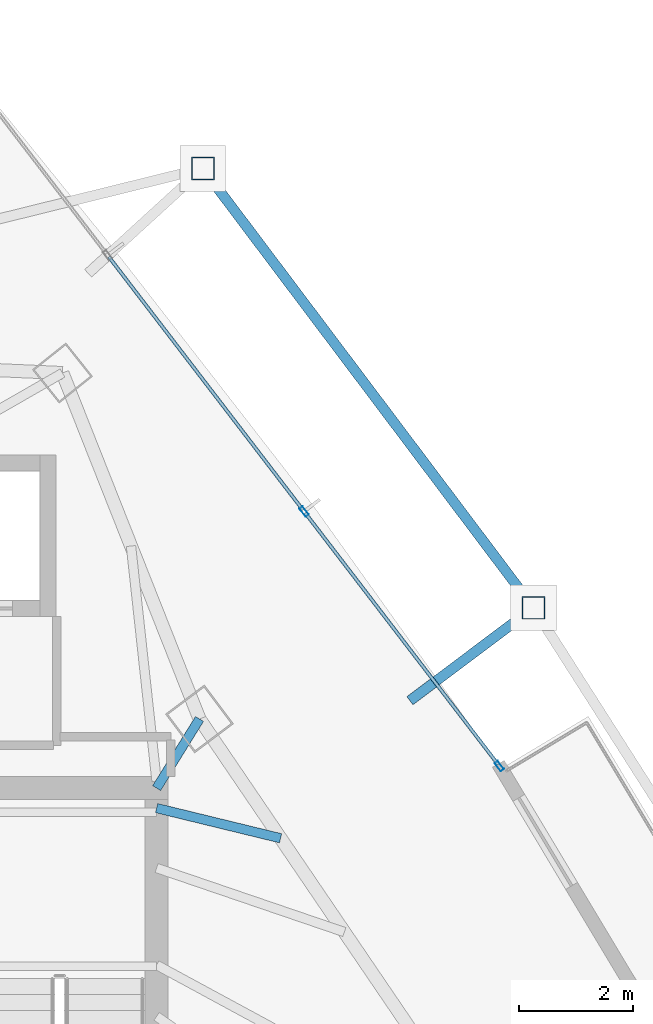
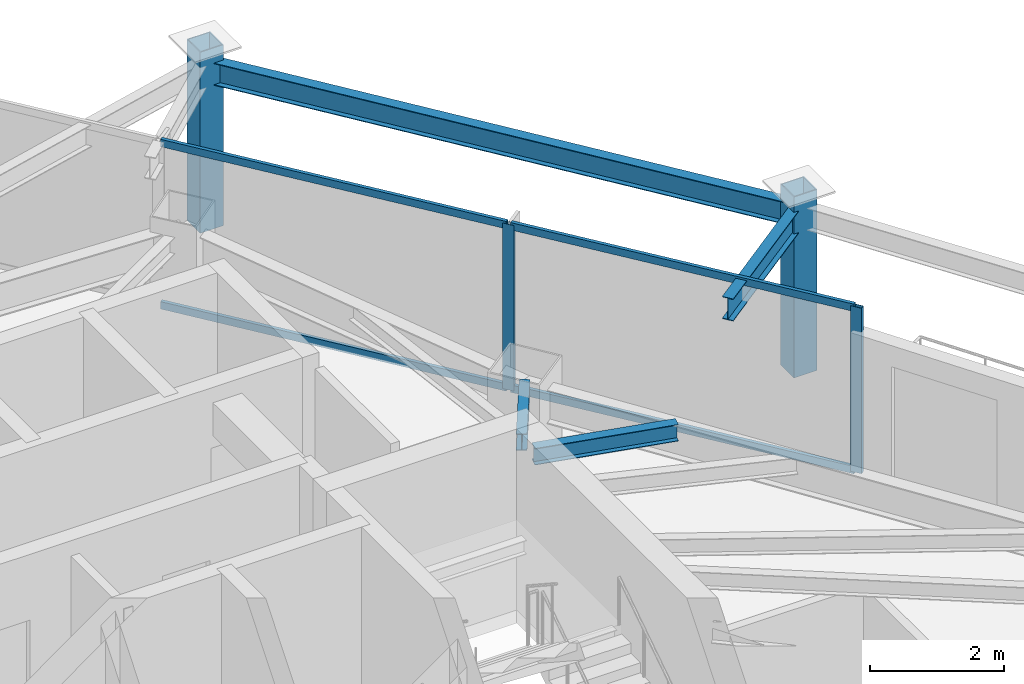
# One storey, part 23 of 30: 8 members, 4 beams, 1 element without a shape of its own.
"""IFC4 building model written with IfcOpenShell, lengths in metres."""

import ifcopenshell
import ifcopenshell.guid

model = None  # the IFC model being written
_history = None  # IfcOwnerHistory: only IFC2X3 demands one
_inside = {}  # id of a spatial element -> (the spatial element, [elements in it])
_under = {}  # id of a project, library or spatial element -> (it, [spatial elements below it])
_declared = {}  # id of a project -> (the project, [libraries it declares])
_typed = {}  # id of a type object -> (the type object, [elements of that type])
_made_of = {}  # id of a material, layer set ... -> (it, [elements and type objects made of it])


def new_model(schema):
    """Start an empty IFC model of exactly this schema.

    Asked for "IFC4X3", IfcOpenShell would pick the latest addendum, in which some entities
    have other attributes; the version numbers below select the first issue.
    IFC2X3 requires an IfcOwnerHistory on every rooted entity: one is made here for all.
    """
    global model, _history
    if schema == "IFC4X3":
        model = ifcopenshell.file(schema_version=(4, 3, 0, 0))
    else:
        model = ifcopenshell.file(schema=schema)
    _inside.clear()
    _under.clear()
    _declared.clear()
    _typed.clear()
    _made_of.clear()
    _history = None
    if model.schema == "IFC2X3":
        org = make("IfcOrganization", Name="unknown")
        user = make(
            "IfcPersonAndOrganization",
            ThePerson=make("IfcPerson", FamilyName="unknown"),
            TheOrganization=org,
        )
        app = make(
            "IfcApplication",
            ApplicationDeveloper=org,
            Version="unknown",
            ApplicationFullName="unknown",
            ApplicationIdentifier="unknown",
        )
        _history = make(
            "IfcOwnerHistory",
            OwningUser=user,
            OwningApplication=app,
            ChangeAction="ADDED",
            CreationDate=0,
        )
    return model


def make(cls, **values):
    """One entity of the class cls with the attributes given. An attribute that is None is left unset."""
    return model.create_entity(
        cls, **{name: value for name, value in values.items() if value is not None}
    )


def rooted(cls, **values):
    """An entity with a GlobalId (a new one), such as an element, a storey or a relation."""
    return make(cls, GlobalId=ifcopenshell.guid.new(), OwnerHistory=_history, **values)


def si_unit(unit_type, name, prefix=None):
    """IfcSIUnit, for example si_unit("LENGTHUNIT", "METRE", prefix="MILLI")."""
    return make("IfcSIUnit", UnitType=unit_type, Prefix=prefix, Name=name)


def assignment(units):
    """IfcUnitAssignment: the units of a project."""
    return None if units is None else make("IfcUnitAssignment", Units=units)


def point(xyz):
    """IfcCartesianPoint."""
    return None if xyz is None else make("IfcCartesianPoint", Coordinates=xyz)


def direction(xyz):
    """IfcDirection."""
    return None if xyz is None else make("IfcDirection", DirectionRatios=xyz)


def frame(location, z_axis=None, x_axis=None):
    """IfcAxis2Placement3D, a coordinate frame: its origin and axes. An axis left out is left unset."""
    return make(
        "IfcAxis2Placement3D",
        Location=point(location),
        Axis=direction(z_axis),
        RefDirection=direction(x_axis),
    )


def frame_2d(location, x_axis=None):
    """IfcAxis2Placement2D, a coordinate frame in the plane: its origin and x axis."""
    return make(
        "IfcAxis2Placement2D", Location=point(location), RefDirection=direction(x_axis)
    )


def origin():
    """The frame at (0, 0, 0) with its axes left unset."""
    return frame((0.0, 0.0, 0.0))


def origin_2d():
    """The frame at (0, 0) in the plane with its x axis left unset."""
    return frame_2d((0.0, 0.0))


def place(relative_to, where):
    """IfcLocalPlacement: puts the frame where relative to a parent placement (None: the world)."""
    return make(
        "IfcLocalPlacement", PlacementRelTo=relative_to, RelativePlacement=where
    )


def context(
    kind, dimensions, precision=None, world=None, true_north=None, identifier=None
):
    """IfcGeometricRepresentationContext, for example the 3D "Model" context."""
    return make(
        "IfcGeometricRepresentationContext",
        ContextIdentifier=identifier,
        ContextType=kind,
        CoordinateSpaceDimension=dimensions,
        Precision=precision,
        WorldCoordinateSystem=world,
        TrueNorth=true_north,
    )


def subcontext(parent, identifier, kind, view, scale=None):
    """IfcGeometricRepresentationSubContext, for example "Body" below "Model"."""
    return make(
        "IfcGeometricRepresentationSubContext",
        ContextIdentifier=identifier,
        ContextType=kind,
        ParentContext=parent,
        TargetScale=scale,
        TargetView=view,
    )


def project(units=None, contexts=None):
    """IfcProject with its units and contexts."""
    return rooted(
        "IfcProject",
        Name="project",
        RepresentationContexts=contexts,
        UnitsInContext=assignment(units),
    )


def spatial(cls, under=None, at=None, **own):
    """A site, building, storey or space (cls), placed at a placement, below another one or the project."""
    s = rooted(cls, ObjectPlacement=at, **own)
    if under is not None:
        _under.setdefault(under.id(), (under, []))[1].append(s)
    return s


def profile(cls, at=None, kind="AREA", **sizes):
    """A parametric profile (cls). Its sizes go by their IFC names, for example OverallWidth=200.0."""
    return make(cls, ProfileType=kind, Position=at, **sizes)


def hollow_rectangle(**sizes):
    """IfcRectangleHollowProfileDef."""
    return profile("IfcRectangleHollowProfileDef", **sizes)


def i_section(**sizes):
    """IfcIShapeProfileDef."""
    return profile("IfcIShapeProfileDef", **sizes)


def extrude(swept, where, along, depth):
    """IfcExtrudedAreaSolid: the profile swept, set in the frame where, extruded along a direction by depth."""
    return make(
        "IfcExtrudedAreaSolid",
        SweptArea=swept,
        Position=where,
        ExtrudedDirection=direction(along),
        Depth=depth,
    )


def shape(context_of_items, identifier, shape_type, items):
    """IfcShapeRepresentation: the items that make up one representation, for example the "Body"."""
    return make(
        "IfcShapeRepresentation",
        ContextOfItems=context_of_items,
        RepresentationIdentifier=identifier,
        RepresentationType=shape_type,
        Items=items,
    )


def material(Name=None, Category=None):
    """IfcMaterial."""
    return make("IfcMaterial", Name=Name, Category=Category)


def layer(
    of_material, thickness, ventilated=None, Name=None, Category=None, Priority=None
):
    """IfcMaterialLayer: one layer of a wall or slab, of a material (None: an air gap)."""
    return make(
        "IfcMaterialLayer",
        Material=of_material,
        LayerThickness=thickness,
        IsVentilated=ventilated,
        Name=Name,
        Category=Category,
        Priority=Priority,
    )


def layer_set(layers, Name=None):
    """IfcMaterialLayerSet."""
    return make("IfcMaterialLayerSet", MaterialLayers=layers, LayerSetName=Name)


def material_profile(
    of_material, cross_section, Name=None, Category=None, Priority=None
):
    """IfcMaterialProfile: a cross section and its material."""
    return make(
        "IfcMaterialProfile",
        Name=Name,
        Material=of_material,
        Profile=cross_section,
        Priority=Priority,
        Category=Category,
    )


def profile_set(profiles, Name=None, composite=None):
    """IfcMaterialProfileSet."""
    return make(
        "IfcMaterialProfileSet",
        Name=Name,
        MaterialProfiles=profiles,
        CompositeProfile=composite,
    )


def made_of(thing, what):
    """Note that an element or type object is made of a material, layer set ...; save() writes the relation."""
    if what is not None:
        _made_of.setdefault(what.id(), (what, []))[1].append(thing)
    return thing


def type_object(cls, material=None, **own):
    """A type object (cls), such as IfcWallType, which elements share."""
    return made_of(rooted(cls, **own), material)


def element(
    cls,
    number,
    at=None,
    inside=None,
    cuts=None,
    type_object=None,
    material=None,
    context=None,
    identifier="Body",
    shape_type=None,
    held_by="IfcProductDefinitionShape",
    body=None,
    shapes=None,
    **own,
):
    """One element of the class cls, such as IfcWall. Its Tag is "e" and its number.

    at: its placement. inside: the storey or other place that contains it. cuts: it is an
    opening in that element (IfcRelVoidsElement). A single representation is given by context,
    identifier, shape_type and body (its items); several are given by shapes. held_by: the class
    of the entity that holds the representations. save() writes the other relations.
    """
    e = rooted(cls, Tag="e%d" % number, ObjectPlacement=at, **own)
    if body is not None:
        shapes = [shape(context, identifier, shape_type, body)]
    if shapes is not None:
        e.Representation = make(held_by, Representations=shapes)
    if inside is not None:
        _inside.setdefault(inside.id(), (inside, []))[1].append(e)
    if cuts is not None:
        rooted(
            "IfcRelVoidsElement", RelatingBuildingElement=cuts, RelatedOpeningElement=e
        )
    if type_object is not None:
        _typed.setdefault(type_object.id(), (type_object, []))[1].append(e)
    return made_of(e, material)


def aggregate(whole, parts):
    """IfcRelAggregates: a whole, such as a stair, and the parts it consists of."""
    return rooted("IfcRelAggregates", RelatingObject=whole, RelatedObjects=parts)


def save(model, path):
    """Write the relations noted so far, then the file.

    IfcRelAggregates (storeys below a building ...), IfcRelContainedInSpatialStructure (elements
    in a storey), IfcRelDefinesByType, IfcRelAssociatesMaterial and IfcRelDeclares: one each for
    every whole, place, type object, material and project.
    """
    for whole, parts in _under.values():
        aggregate(whole, parts)
    for where, things in _inside.values():
        rooted(
            "IfcRelContainedInSpatialStructure",
            RelatedElements=things,
            RelatingStructure=where,
        )
    for kind, things in _typed.values():
        rooted("IfcRelDefinesByType", RelatedObjects=things, RelatingType=kind)
    for what, things in _made_of.values():
        rooted("IfcRelAssociatesMaterial", RelatedObjects=things, RelatingMaterial=what)
    for by, libraries in _declared.values():
        rooted("IfcRelDeclares", RelatingContext=by, RelatedDefinitions=libraries)
    model.write(path)


model = new_model("IFC4")

# Units and contexts
model_context = context("Model", 3, precision=1e-05, world=origin(), true_north=direction((0.0, 1.0)))
body_context = subcontext(model_context, "Body", "Model", "MODEL_VIEW")
ifc_project = project(units=[si_unit("LENGTHUNIT", "METRE"), si_unit("AREAUNIT", "SQUARE_METRE"), si_unit("VOLUMEUNIT", "CUBIC_METRE"), si_unit("PLANEANGLEUNIT", "RADIAN"), si_unit("MASSUNIT", "GRAM", prefix="KILO")], contexts=[model_context])

# Site, building, storey
site_placement = place(None, origin())
site = spatial("IfcSite", under=ifc_project, at=site_placement, CompositionType="ELEMENT")
building_placement = place(site_placement, origin())
building = spatial("IfcBuilding", under=site, at=building_placement, Name="Orvanel Arch Residences", CompositionType="ELEMENT")
storey_placement = place(building_placement, frame((0.0, 0.0, 143.0)))
storey = spatial("IfcBuildingStorey", under=building, at=storey_placement, Name="L40", CompositionType="ELEMENT", Elevation=143.0)

# Beams
ifc_material_1 = material(Name="Structural steel AS/NZS 3679.1 Grade 300 (300 MPa)", Category="steel")
ifc_material_profile_1 = material_profile(ifc_material_1, i_section(OverallWidth=0.1650390625, OverallDepth=0.303955078125, WebThickness=0.006103515625, FlangeThickness=0.01025390625, at=origin_2d()), Name="310UB40.4")
ifc_profile_set_1 = profile_set([ifc_material_profile_1], Name="Structural steel AS/NZS 3679.1 Grade 300 (300 MPa)")
beam_type_1 = type_object("IfcBeamType", Name="BJ-310UB", PredefinedType="JOIST", material=ifc_profile_set_1)
beam_1_placement = place(storey_placement, frame((39.60009765625, 33.89990234375, 2.867919921875), z_axis=(0.526843290616, 0.84996243866, 0.0), x_axis=(-0.84996243866, 0.526843290616, 0.0)))
element("IfcBeam", 1, at=beam_1_placement, inside=storey, type_object=beam_type_1, Name="L40 NNE Wing Floor Joist", PredefinedType="JOIST", context=body_context, shape_type="SweptSolid", body=[
    extrude(i_section(OverallWidth=0.1650390625, OverallDepth=0.303955078125, WebThickness=0.006103515625, FlangeThickness=0.01025390625, at=origin_2d()), origin(), (0.0, 0.0, 1.0), 1.42724609375),
])
beam_2_placement = place(storey_placement, frame((39.60009765625, 33.550048828125, 2.867919921875), z_axis=(0.971638471014, -0.236471312521, 0.0), x_axis=(0.236471312521, 0.971638471014, 0.0)))
element("IfcBeam", 2, at=beam_2_placement, inside=storey, type_object=beam_type_1, Name="L40 JADD4 Wing Floor Joist", PredefinedType="JOIST", context=body_context, shape_type="SweptSolid", body=[
    extrude(i_section(OverallWidth=0.1650390625, OverallDepth=0.303955078125, WebThickness=0.006103515625, FlangeThickness=0.01025390625, at=origin_2d()), origin(), (0.0, 0.0, 1.0), 2.2373046875),
])

# Curtain wall, members
ifc_material_2 = material(Name="Bronze-anodised aluminium AA6063-T6", Category="aluminium")
ifc_layer = layer(ifc_material_2, 0.179931640625)
ifc_layer_set = layer_set([ifc_layer], Name="Bronze-anodised aluminium AA6063-T6")
curtain_wall_type = type_object("IfcCurtainWallType", Name="CW3-MID-SYS", PredefinedType="NOTDEFINED", material=ifc_layer_set)
curtain_wall_placement = place(storey_placement, origin())
curtain_wall = element("IfcCurtainWall", 3, at=curtain_wall_placement, inside=storey, type_object=curtain_wall_type, Name="L40 CW3-MID-SYS Unitised Curtain Wall", PredefinedType="NOTDEFINED")
ifc_material_profile_2 = material_profile(ifc_material_2, hollow_rectangle(XDim=0.070068359375, YDim=0.179931640625, WallThickness=0.00439453125, at=origin_2d()), Name="ALU180x70x4.5")
ifc_profile_set_2 = profile_set([ifc_material_profile_2], Name="Bronze-anodised aluminium AA6063-T6")
member_type_1 = type_object("IfcMemberType", Name="MUL-180x70", PredefinedType="MULLION", material=ifc_profile_set_2)
member_1_placement = place(storey_placement, frame((45.608642578125, 34.286865234375, 0.0), z_axis=(0.0, 0.0, 1.0), x_axis=(-0.793544747169, -0.608511901478, 0.0)))
member_1 = element("IfcMember", 4, at=member_1_placement, type_object=member_type_1, Name="CW-S3 mullion 1", PredefinedType="MULLION", context=body_context, shape_type="SweptSolid", body=[
    extrude(hollow_rectangle(XDim=0.070068359375, YDim=0.179931640625, WallThickness=0.00439453125, at=origin_2d()), origin(), (0.0, 0.0, 1.0), 3.02001953125),
])
member_2_placement = place(storey_placement, frame((42.185546875, 38.750732421875, 0.0), z_axis=(0.0, 0.0, 1.0), x_axis=(-0.793544747169, -0.608511901478, 0.0)))
member_2 = element("IfcMember", 5, at=member_2_placement, type_object=member_type_1, Name="CW-S3 mullion 2", PredefinedType="MULLION", context=body_context, shape_type="SweptSolid", body=[
    extrude(hollow_rectangle(XDim=0.070068359375, YDim=0.179931640625, WallThickness=0.00439453125, at=origin_2d()), origin(), (0.0, 0.0, 1.0), 3.02001953125),
])

# Beams
ifc_material_profile_3 = material_profile(ifc_material_1, i_section(OverallWidth=0.177978515625, OverallDepth=0.406005859375, WebThickness=0.0078125, FlangeThickness=0.0126953125, at=origin_2d()), Name="410UB59.7")
ifc_profile_set_3 = profile_set([ifc_material_profile_3], Name="Structural steel AS/NZS 3679.1 Grade 300 (300 MPa)")
beam_type_2 = type_object("IfcBeamType", Name="OB-410UB-EXT", PredefinedType="SPANDREL", material=ifc_profile_set_3)
beam_3_placement = place(storey_placement, frame((44.041015625, 35.43310546875, 2.81689453125), z_axis=(0.799351118236, 0.600864202441, 0.0), x_axis=(-0.600864202441, 0.799351118236, 0.0)))
element("IfcBeam", 6, at=beam_3_placement, inside=storey, type_object=beam_type_2, Name="L40 Outer Frame Radial Tie Beam 11", PredefinedType="SPANDREL", context=body_context, shape_type="SweptSolid", body=[
    extrude(i_section(OverallWidth=0.177978515625, OverallDepth=0.406005859375, WebThickness=0.0078125, FlangeThickness=0.0126953125, at=origin_2d()), origin(), (0.0, 0.0, 1.0), 2.7109375),
])
beam_4_placement = place(storey_placement, frame((46.2080078125, 37.06201171875, 2.81689453125), z_axis=(-0.601421491273, 0.798931905631, 0.0), x_axis=(-0.798931905631, -0.601421491273, 0.0)))
element("IfcBeam", 7, at=beam_4_placement, inside=storey, type_object=beam_type_2, Name="L40 Outer Perimeter Floor Ring Beam 11", PredefinedType="SPANDREL", context=body_context, shape_type="SweptSolid", body=[
    extrude(i_section(OverallWidth=0.177978515625, OverallDepth=0.406005859375, WebThickness=0.0078125, FlangeThickness=0.0126953125, at=origin_2d()), origin(), (0.0, 0.0, 1.0), 9.638916015625),
])

# Members
ifc_material_3 = material(Name="Structural steel AS/NZS 1163 C450L0 (Grade 450)", Category="steel")
ifc_material_profile_4 = material_profile(ifc_material_3, hollow_rectangle(XDim=0.39990234375, YDim=0.39990234375, WallThickness=0.01611328125, at=origin_2d()), Name="SHS400x400x16")
ifc_profile_set_4 = profile_set([ifc_material_profile_4], Name="Structural steel AS/NZS 1163 C450L0 (Grade 450)")
member_type_2 = type_object("IfcMemberType", Name="ST-400SHS-EXT", PredefinedType="STRUT", material=ifc_profile_set_4)
for number, where, z_axis, x_axis, name in (
    (8, (46.2080078125, 37.06201171875, 0.0), (0.0, 0.0, 1.0), (1.0, 0.0, 0.0), "L40 Outer Perimeter Frame Post 11"),
    (9, (40.410888671875, 44.762939453125, 0.0), (0.0, 0.0, 1.0), (1.0, 0.0, 0.0), "L40 Outer Perimeter Frame Post 12"),
):
    element("IfcMember", number, at=place(storey_placement, frame(where, z_axis=z_axis, x_axis=x_axis)), inside=storey, type_object=member_type_2, Name=name, PredefinedType="STRUT", context=body_context, shape_type="SweptSolid", body=[
        extrude(hollow_rectangle(XDim=0.39990234375, YDim=0.39990234375, WallThickness=0.01611328125, at=origin_2d()), origin(), (0.0, 0.0, 1.0), 3.300048828125),
    ])

# Member
ifc_material_profile_5 = material_profile(ifc_material_2, hollow_rectangle(XDim=0.06005859375, YDim=0.135009765625, WallThickness=0.00390625, at=origin_2d()), Name="ALU135x60x4")
ifc_profile_set_5 = profile_set([ifc_material_profile_5], Name="Bronze-anodised aluminium AA6063-T6")
member_type_3 = type_object("IfcMemberType", Name="TRN-135x60", PredefinedType="USERDEFINED", material=ifc_profile_set_5)
member_3_placement = place(storey_placement, frame((45.58740234375, 34.314453125, 0.030029296875), z_axis=(-0.608495202332, 0.793557552254, 0.0), x_axis=(-0.793557552254, -0.608495202332, 0.0)))
member_3 = element("IfcMember", 10, at=member_3_placement, type_object=member_type_3, Name="CW-S3 transom 1.1", ObjectType="TRANSOM", PredefinedType="USERDEFINED", context=body_context, shape_type="SweptSolid", body=[
    extrude(hollow_rectangle(XDim=0.06005859375, YDim=0.135009765625, WallThickness=0.00390625, at=origin_2d()), origin(), (0.0, 0.0, 1.0), 5.55517578125),
])

member_4_placement = place(storey_placement, frame((45.58740234375, 34.314453125, 2.989990234375), z_axis=(-0.608495202332, 0.793557552254, 0.0), x_axis=(-0.793557552254, -0.608495202332, 0.0)))
member_4 = element("IfcMember", 11, at=member_4_placement, type_object=member_type_3, Name="CW-S3 transom 1.2", ObjectType="TRANSOM", PredefinedType="USERDEFINED", context=body_context, shape_type="SweptSolid", body=[
    extrude(hollow_rectangle(XDim=0.06005859375, YDim=0.135009765625, WallThickness=0.00390625, at=origin_2d()), origin(), (0.0, 0.0, 1.0), 5.55517578125),
])

member_5_placement = place(storey_placement, frame((42.164306640625, 38.7783203125, 0.030029296875), z_axis=(-0.608483802201, 0.793566293676, 0.0), x_axis=(-0.793566293676, -0.608483802201, 0.0)))
member_5 = element("IfcMember", 12, at=member_5_placement, type_object=member_type_3, Name="CW-S3 transom 2.1", ObjectType="TRANSOM", PredefinedType="USERDEFINED", context=body_context, shape_type="SweptSolid", body=[
    extrude(hollow_rectangle(XDim=0.06005859375, YDim=0.135009765625, WallThickness=0.00390625, at=origin_2d()), origin(), (0.0, 0.0, 1.0), 5.59033203125),
])

member_6_placement = place(storey_placement, frame((42.164306640625, 38.7783203125, 2.989990234375), z_axis=(-0.608483802201, 0.793566293676, 0.0), x_axis=(-0.793566293676, -0.608483802201, 0.0)))
member_6 = element("IfcMember", 13, at=member_6_placement, type_object=member_type_3, Name="CW-S3 transom 2.2", ObjectType="TRANSOM", PredefinedType="USERDEFINED", context=body_context, shape_type="SweptSolid", body=[
    extrude(hollow_rectangle(XDim=0.06005859375, YDim=0.135009765625, WallThickness=0.00390625, at=origin_2d()), origin(), (0.0, 0.0, 1.0), 5.59033203125),
])

aggregate(curtain_wall, [member_1, member_2, member_3, member_4, member_5, member_6])

save(model, "model.ifc")
